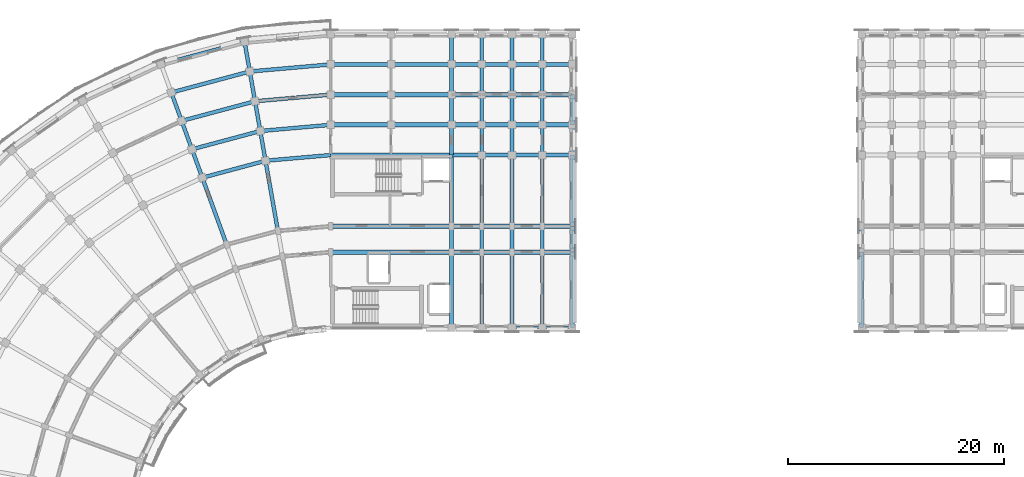
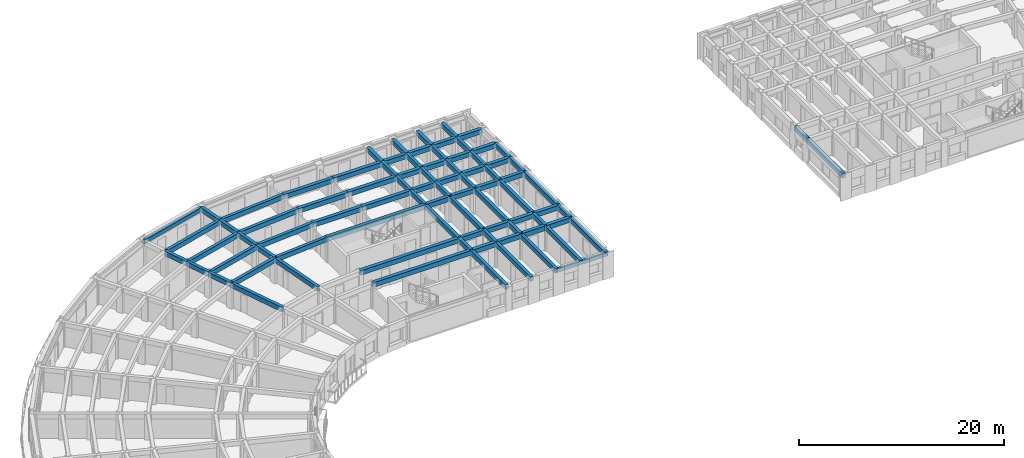
# One storey, part 10 of 57: 88 beams.
"""IFC4 building model written with IfcOpenShell, lengths in metres."""

from ifc_helpers import new_model, si_unit, direction, frame, origin, origin_2d, place, context, subcontext, project, spatial, rectangle, extrude, material, material_profile, profile_set, type_object, element, save


model = new_model("IFC4")

# Units and contexts
model_context = context("Model", 3, precision=1e-05, world=origin(), true_north=direction((0.0, 1.0)))
body_context = subcontext(model_context, "Body", "Model", "MODEL_VIEW")
ifc_project = project(units=[si_unit("LENGTHUNIT", "METRE"), si_unit("AREAUNIT", "SQUARE_METRE"), si_unit("VOLUMEUNIT", "CUBIC_METRE"), si_unit("PLANEANGLEUNIT", "RADIAN"), si_unit("MASSUNIT", "GRAM", prefix="KILO")], contexts=[model_context])

# Site, building, storey
site_placement = place(None, origin())
site = spatial("IfcSite", under=ifc_project, at=site_placement, CompositionType="ELEMENT")
building_placement = place(site_placement, origin())
building = spatial("IfcBuilding", under=site, at=building_placement, Name="Kiranvali Square Residences", CompositionType="ELEMENT")
storey_placement = place(building_placement, frame((0.0, 0.0, 21.300048828125)))
storey = spatial("IfcBuildingStorey", under=building, at=storey_placement, Name="L06", CompositionType="ELEMENT", Elevation=21.300048828125)

# Beams
ifc_material_1 = material(Name="Concrete M40 (40 MPa)", Category="concrete")
ifc_material_profile_1 = material_profile(ifc_material_1, rectangle(XDim=0.35009765625, YDim=0.550048828125, at=origin_2d()), Name="RC 350x550")
ifc_profile_set_1 = profile_set([ifc_material_profile_1], Name="Concrete M40 (40 MPa)")
beam_type_1 = type_object("IfcBeamType", Name="BM-M40-350x550", PredefinedType="BEAM", material=ifc_profile_set_1)
beam_1_placement = place(storey_placement, frame((48.199951171875, 122.60009765625, 2.655029296875), z_axis=(-0.996193018494, -0.087174938512, 0.0), x_axis=(0.087174938512, -0.996193018494, 0.0)))
element("IfcBeam", 1, at=beam_1_placement, inside=storey, type_object=beam_type_1, Name="L06 beam BM-A-L06-C00-R3", PredefinedType="BEAM", context=body_context, shape_type="SweptSolid", body=[
    extrude(rectangle(XDim=0.35009765625, YDim=0.550048828125, at=origin_2d()), origin(), (0.0, 0.0, 1.0), 6.066162109375),
])
beam_2_placement = place(storey_placement, frame((48.199951171875, 125.39990234375, 2.655029296875), z_axis=(-0.996196991902, -0.0871295204, 0.0), x_axis=(0.0871295204, -0.996196991902, 0.0)))
element("IfcBeam", 2, at=beam_2_placement, inside=storey, type_object=beam_type_1, Name="L06 beam BM-A-L06-C00-R4", PredefinedType="BEAM", context=body_context, shape_type="SweptSolid", body=[
    extrude(rectangle(XDim=0.35009765625, YDim=0.550048828125, at=origin_2d()), origin(), (0.0, 0.0, 1.0), 6.553955078125),
])
beam_3_placement = place(storey_placement, frame((48.199951171875, 128.199951171875, 2.655029296875), z_axis=(-0.996194658198, -0.087156198737, 0.0), x_axis=(0.087156198737, -0.996194658198, 0.0)))
element("IfcBeam", 3, at=beam_3_placement, inside=storey, type_object=beam_type_1, Name="L06 beam BM-A-L06-C00-R5", PredefinedType="BEAM", context=body_context, shape_type="SweptSolid", body=[
    extrude(rectangle(XDim=0.35009765625, YDim=0.550048828125, at=origin_2d()), origin(), (0.0, 0.0, 1.0), 7.042236328125),
])
beam_4_placement = place(storey_placement, frame((48.199951171875, 131.0, 2.655029296875), z_axis=(-0.996195195417, -0.087150058103, 0.0), x_axis=(0.087150058103, -0.996195195417, 0.0)))
element("IfcBeam", 4, at=beam_4_placement, inside=storey, type_object=beam_type_1, Name="L06 beam BM-A-L06-C00-R6", PredefinedType="BEAM", context=body_context, shape_type="SweptSolid", body=[
    extrude(rectangle(XDim=0.35009765625, YDim=0.550048828125, at=origin_2d()), origin(), (0.0, 0.0, 1.0), 7.530029296875),
])
beam_5_placement = place(storey_placement, frame((42.156982421875, 122.0712890625, 2.655029296875), z_axis=(-0.965923618901, -0.258827283048, 0.0), x_axis=(0.258827283048, -0.965923618901, 0.0)))
element("IfcBeam", 5, at=beam_5_placement, inside=storey, type_object=beam_type_1, Name="L06 beam BM-A-L06-C01-R3", PredefinedType="BEAM", context=body_context, shape_type="SweptSolid", body=[
    extrude(rectangle(XDim=0.35009765625, YDim=0.550048828125, at=origin_2d()), origin(), (0.0, 0.0, 1.0), 6.066162109375),
])
beam_6_placement = place(storey_placement, frame((41.6708984375, 124.828857421875, 2.655029296875), z_axis=(-0.965918287583, -0.258847178297, 0.0), x_axis=(0.258847178297, -0.965918287583, 0.0)))
element("IfcBeam", 6, at=beam_6_placement, inside=storey, type_object=beam_type_1, Name="L06 beam BM-A-L06-C01-R4", PredefinedType="BEAM", context=body_context, shape_type="SweptSolid", body=[
    extrude(rectangle(XDim=0.35009765625, YDim=0.550048828125, at=origin_2d()), origin(), (0.0, 0.0, 1.0), 6.55419921875),
])
beam_7_placement = place(storey_placement, frame((41.1845703125, 127.586181640625, 2.655029296875), z_axis=(-0.965931029817, -0.258799624492, 0.0), x_axis=(0.258799624492, -0.965931029817, 0.0)))
element("IfcBeam", 7, at=beam_7_placement, inside=storey, type_object=beam_type_1, Name="L06 beam BM-A-L06-C01-R5", PredefinedType="BEAM", context=body_context, shape_type="SweptSolid", body=[
    extrude(rectangle(XDim=0.35009765625, YDim=0.550048828125, at=origin_2d()), origin(), (0.0, 0.0, 1.0), 7.042236328125),
])
beam_8_placement = place(storey_placement, frame((40.698486328125, 130.34375, 2.655029296875), z_axis=(-0.965925909693, -0.258818733833, 0.0), x_axis=(0.258818733833, -0.965925909693, 0.0)))
element("IfcBeam", 8, at=beam_8_placement, inside=storey, type_object=beam_type_1, Name="L06 beam BM-A-L06-C01-R6", PredefinedType="BEAM", context=body_context, shape_type="SweptSolid", body=[
    extrude(rectangle(XDim=0.35009765625, YDim=0.550048828125, at=origin_2d()), origin(), (0.0, 0.0, 1.0), 7.5302734375),
])
beam_9_placement = place(storey_placement, frame((43.30322265625, 115.571533203125, 2.655029296875), z_axis=(-0.173671381499, 0.984803661269, 0.0), x_axis=(-0.984803661269, -0.173671381499, 0.0)))
element("IfcBeam", 9, at=beam_9_placement, inside=storey, type_object=beam_type_1, Name="L06 beam BM-A-L06-RAD01-23", PredefinedType="BEAM", context=body_context, shape_type="SweptSolid", body=[
    extrude(rectangle(XDim=0.35009765625, YDim=0.550048828125, at=origin_2d()), origin(), (0.0, 0.0, 1.0), 6.60009765625),
])
beam_10_placement = place(storey_placement, frame((42.156982421875, 122.0712890625, 2.655029296875), z_axis=(-0.173596320392, 0.984816895441, 0.0), x_axis=(-0.984816895441, -0.173596320392, 0.0)))
element("IfcBeam", 10, at=beam_10_placement, inside=storey, type_object=beam_type_1, Name="L06 beam BM-A-L06-RAD01-34", PredefinedType="BEAM", context=body_context, shape_type="SweptSolid", body=[
    extrude(rectangle(XDim=0.35009765625, YDim=0.550048828125, at=origin_2d()), origin(), (0.0, 0.0, 1.0), 2.800048828125),
])
beam_11_placement = place(storey_placement, frame((41.6708984375, 124.828857421875, 2.655029296875), z_axis=(-0.173695795656, 0.984799355489, 0.0), x_axis=(-0.984799355489, -0.173695795656, 0.0)))
element("IfcBeam", 11, at=beam_11_placement, inside=storey, type_object=beam_type_1, Name="L06 beam BM-A-L06-RAD01-45", PredefinedType="BEAM", context=body_context, shape_type="SweptSolid", body=[
    extrude(rectangle(XDim=0.35009765625, YDim=0.550048828125, at=origin_2d()), origin(), (0.0, 0.0, 1.0), 2.7998046875),
])
beam_12_placement = place(storey_placement, frame((41.1845703125, 127.586181640625, 2.655029296875), z_axis=(-0.173596320392, 0.984816895441, 0.0), x_axis=(-0.984816895441, -0.173596320392, 0.0)))
element("IfcBeam", 12, at=beam_12_placement, inside=storey, type_object=beam_type_1, Name="L06 beam BM-A-L06-RAD01-56", PredefinedType="BEAM", context=body_context, shape_type="SweptSolid", body=[
    extrude(rectangle(XDim=0.35009765625, YDim=0.550048828125, at=origin_2d()), origin(), (0.0, 0.0, 1.0), 2.800048828125),
])
beam_13_placement = place(storey_placement, frame((40.698486328125, 130.34375, 2.655029296875), z_axis=(-0.173695795656, 0.984799355489, 0.0), x_axis=(-0.984799355489, -0.173695795656, 0.0)))
element("IfcBeam", 13, at=beam_13_placement, inside=storey, type_object=beam_type_1, Name="L06 beam BM-A-L06-RAD01-67", PredefinedType="BEAM", context=body_context, shape_type="SweptSolid", body=[
    extrude(rectangle(XDim=0.35009765625, YDim=0.550048828125, at=origin_2d()), origin(), (0.0, 0.0, 1.0), 2.7998046875),
])
beam_14_placement = place(storey_placement, frame((38.554931640625, 114.29931640625, 2.655029296875), z_axis=(-0.342022238372, 0.939691858249, 0.0), x_axis=(-0.939691858249, -0.342022238372, 0.0)))
element("IfcBeam", 14, at=beam_14_placement, inside=storey, type_object=beam_type_1, Name="L06 beam BM-A-L06-RAD02-23", PredefinedType="BEAM", context=body_context, shape_type="SweptSolid", body=[
    extrude(rectangle(XDim=0.35009765625, YDim=0.550048828125, at=origin_2d()), origin(), (0.0, 0.0, 1.0), 6.599853515625),
])
beam_15_placement = place(storey_placement, frame((36.297607421875, 120.501220703125, 2.655029296875), z_axis=(-0.341981089711, 0.93970683422, 0.0), x_axis=(-0.93970683422, -0.341981089711, 0.0)))
element("IfcBeam", 15, at=beam_15_placement, inside=storey, type_object=beam_type_1, Name="L06 beam BM-A-L06-RAD02-34", PredefinedType="BEAM", context=body_context, shape_type="SweptSolid", body=[
    extrude(rectangle(XDim=0.35009765625, YDim=0.550048828125, at=origin_2d()), origin(), (0.0, 0.0, 1.0), 2.7998046875),
])
beam_16_placement = place(storey_placement, frame((35.340087890625, 123.13232421875, 2.655029296875), z_axis=(-0.342030060398, 0.939689011208, 0.0), x_axis=(-0.939689011208, -0.342030060398, 0.0)))
element("IfcBeam", 16, at=beam_16_placement, inside=storey, type_object=beam_type_1, Name="L06 beam BM-A-L06-RAD02-45", PredefinedType="BEAM", context=body_context, shape_type="SweptSolid", body=[
    extrude(rectangle(XDim=0.35009765625, YDim=0.550048828125, at=origin_2d()), origin(), (0.0, 0.0, 1.0), 2.80029296875),
])
beam_17_placement = place(storey_placement, frame((34.38232421875, 125.763671875, 2.655029296875), z_axis=(-0.341981089711, 0.93970683422, 0.0), x_axis=(-0.93970683422, -0.341981089711, 0.0)))
element("IfcBeam", 17, at=beam_17_placement, inside=storey, type_object=beam_type_1, Name="L06 beam BM-A-L06-RAD02-56", PredefinedType="BEAM", context=body_context, shape_type="SweptSolid", body=[
    extrude(rectangle(XDim=0.35009765625, YDim=0.550048828125, at=origin_2d()), origin(), (0.0, 0.0, 1.0), 2.7998046875),
])
beam_18_placement = place(storey_placement, frame((59.39990234375, 106.60009765625, 2.655029296875), z_axis=(0.0, 1.0, 0.0), x_axis=(-1.0, 0.0, 0.0)))
element("IfcBeam", 18, at=beam_18_placement, inside=storey, type_object=beam_type_1, Name="L06 beam BM-A-L06-A1T1-01", PredefinedType="BEAM", context=body_context, shape_type="SweptSolid", body=[
    extrude(rectangle(XDim=0.35009765625, YDim=0.550048828125, at=origin_2d()), origin(), (0.0, 0.0, 1.0), 7.0),
])
beam_19_placement = place(storey_placement, frame((59.39990234375, 113.60009765625, 2.655029296875), z_axis=(0.0, 1.0, 0.0), x_axis=(-1.0, 0.0, 0.0)))
element("IfcBeam", 19, at=beam_19_placement, inside=storey, type_object=beam_type_1, Name="L06 beam BM-A-L06-A1T1-12", PredefinedType="BEAM", context=body_context, shape_type="SweptSolid", body=[
    extrude(rectangle(XDim=0.35009765625, YDim=0.550048828125, at=origin_2d()), origin(), (0.0, 0.0, 1.0), 2.39990234375),
])
beam_20_placement = place(storey_placement, frame((59.39990234375, 116.0, 2.655029296875), z_axis=(0.0, 1.0, 0.0), x_axis=(-1.0, 0.0, 0.0)))
element("IfcBeam", 20, at=beam_20_placement, inside=storey, type_object=beam_type_1, Name="L06 beam BM-A-L06-A1T1-23", PredefinedType="BEAM", context=body_context, shape_type="SweptSolid", body=[
    extrude(rectangle(XDim=0.35009765625, YDim=0.550048828125, at=origin_2d()), origin(), (0.0, 0.0, 1.0), 6.60009765625),
])
beam_21_placement = place(storey_placement, frame((59.39990234375, 122.60009765625, 2.655029296875), z_axis=(0.0, 1.0, 0.0), x_axis=(-1.0, 0.0, 0.0)))
element("IfcBeam", 21, at=beam_21_placement, inside=storey, type_object=beam_type_1, Name="L06 beam BM-A-L06-A1T1-34", PredefinedType="BEAM", context=body_context, shape_type="SweptSolid", body=[
    extrude(rectangle(XDim=0.35009765625, YDim=0.550048828125, at=origin_2d()), origin(), (0.0, 0.0, 1.0), 2.7998046875),
])
for number, where, z_axis, x_axis, name in (
    (22, (59.39990234375, 125.39990234375, 2.655029296875), (0.0, 1.0, 0.0), (-1.0, 0.0, 0.0), "L06 beam BM-A-L06-A1T1-45"),
    (23, (59.39990234375, 128.199951171875, 2.655029296875), (0.0, 1.0, 0.0), (-1.0, 0.0, 0.0), "L06 beam BM-A-L06-A1T1-56"),
    (24, (59.39990234375, 131.0, 2.655029296875), (0.0, 1.0, 0.0), (-1.0, 0.0, 0.0), "L06 beam BM-A-L06-A1T1-67"),
):
    element("IfcBeam", number, at=place(storey_placement, frame(where, z_axis=z_axis, x_axis=x_axis)), inside=storey, type_object=beam_type_1, Name=name, PredefinedType="BEAM", context=body_context, shape_type="SweptSolid", body=[
        extrude(rectangle(XDim=0.35009765625, YDim=0.550048828125, at=origin_2d()), origin(), (0.0, 0.0, 1.0), 2.800048828125),
    ])
beam_22_placement = place(storey_placement, frame((62.199951171875, 106.60009765625, 2.655029296875), z_axis=(0.0, 1.0, 0.0), x_axis=(-1.0, 0.0, 0.0)))
element("IfcBeam", 25, at=beam_22_placement, inside=storey, type_object=beam_type_1, Name="L06 beam BM-A-L06-A1T2-01", PredefinedType="BEAM", context=body_context, shape_type="SweptSolid", body=[
    extrude(rectangle(XDim=0.35009765625, YDim=0.550048828125, at=origin_2d()), origin(), (0.0, 0.0, 1.0), 7.0),
])
beam_23_placement = place(storey_placement, frame((62.199951171875, 113.60009765625, 2.655029296875), z_axis=(0.0, 1.0, 0.0), x_axis=(-1.0, 0.0, 0.0)))
element("IfcBeam", 26, at=beam_23_placement, inside=storey, type_object=beam_type_1, Name="L06 beam BM-A-L06-A1T2-12", PredefinedType="BEAM", context=body_context, shape_type="SweptSolid", body=[
    extrude(rectangle(XDim=0.35009765625, YDim=0.550048828125, at=origin_2d()), origin(), (0.0, 0.0, 1.0), 2.39990234375),
])
beam_24_placement = place(storey_placement, frame((62.199951171875, 116.0, 2.655029296875), z_axis=(0.0, 1.0, 0.0), x_axis=(-1.0, 0.0, 0.0)))
element("IfcBeam", 27, at=beam_24_placement, inside=storey, type_object=beam_type_1, Name="L06 beam BM-A-L06-A1T2-23", PredefinedType="BEAM", context=body_context, shape_type="SweptSolid", body=[
    extrude(rectangle(XDim=0.35009765625, YDim=0.550048828125, at=origin_2d()), origin(), (0.0, 0.0, 1.0), 6.60009765625),
])
beam_25_placement = place(storey_placement, frame((62.199951171875, 122.60009765625, 2.655029296875), z_axis=(0.0, 1.0, 0.0), x_axis=(-1.0, 0.0, 0.0)))
element("IfcBeam", 28, at=beam_25_placement, inside=storey, type_object=beam_type_1, Name="L06 beam BM-A-L06-A1T2-34", PredefinedType="BEAM", context=body_context, shape_type="SweptSolid", body=[
    extrude(rectangle(XDim=0.35009765625, YDim=0.550048828125, at=origin_2d()), origin(), (0.0, 0.0, 1.0), 2.7998046875),
])
for number, where, z_axis, x_axis, name in (
    (29, (62.199951171875, 125.39990234375, 2.655029296875), (0.0, 1.0, 0.0), (-1.0, 0.0, 0.0), "L06 beam BM-A-L06-A1T2-45"),
    (30, (62.199951171875, 128.199951171875, 2.655029296875), (0.0, 1.0, 0.0), (-1.0, 0.0, 0.0), "L06 beam BM-A-L06-A1T2-56"),
    (31, (62.199951171875, 131.0, 2.655029296875), (0.0, 1.0, 0.0), (-1.0, 0.0, 0.0), "L06 beam BM-A-L06-A1T2-67"),
):
    element("IfcBeam", number, at=place(storey_placement, frame(where, z_axis=z_axis, x_axis=x_axis)), inside=storey, type_object=beam_type_1, Name=name, PredefinedType="BEAM", context=body_context, shape_type="SweptSolid", body=[
        extrude(rectangle(XDim=0.35009765625, YDim=0.550048828125, at=origin_2d()), origin(), (0.0, 0.0, 1.0), 2.800048828125),
    ])
beam_26_placement = place(storey_placement, frame((65.0, 106.60009765625, 2.655029296875), z_axis=(0.0, 1.0, 0.0), x_axis=(-1.0, 0.0, 0.0)))
element("IfcBeam", 32, at=beam_26_placement, inside=storey, type_object=beam_type_1, Name="L06 beam BM-A-L06-A1T3-01", PredefinedType="BEAM", context=body_context, shape_type="SweptSolid", body=[
    extrude(rectangle(XDim=0.35009765625, YDim=0.550048828125, at=origin_2d()), origin(), (0.0, 0.0, 1.0), 7.0),
])
beam_27_placement = place(storey_placement, frame((65.0, 113.60009765625, 2.655029296875), z_axis=(0.0, 1.0, 0.0), x_axis=(-1.0, 0.0, 0.0)))
element("IfcBeam", 33, at=beam_27_placement, inside=storey, type_object=beam_type_1, Name="L06 beam BM-A-L06-A1T3-12", PredefinedType="BEAM", context=body_context, shape_type="SweptSolid", body=[
    extrude(rectangle(XDim=0.35009765625, YDim=0.550048828125, at=origin_2d()), origin(), (0.0, 0.0, 1.0), 2.39990234375),
])
beam_28_placement = place(storey_placement, frame((65.0, 116.0, 2.655029296875), z_axis=(0.0, 1.0, 0.0), x_axis=(-1.0, 0.0, 0.0)))
element("IfcBeam", 34, at=beam_28_placement, inside=storey, type_object=beam_type_1, Name="L06 beam BM-A-L06-A1T3-23", PredefinedType="BEAM", context=body_context, shape_type="SweptSolid", body=[
    extrude(rectangle(XDim=0.35009765625, YDim=0.550048828125, at=origin_2d()), origin(), (0.0, 0.0, 1.0), 6.60009765625),
])
beam_29_placement = place(storey_placement, frame((65.0, 122.60009765625, 2.655029296875), z_axis=(0.0, 1.0, 0.0), x_axis=(-1.0, 0.0, 0.0)))
element("IfcBeam", 35, at=beam_29_placement, inside=storey, type_object=beam_type_1, Name="L06 beam BM-A-L06-A1T3-34", PredefinedType="BEAM", context=body_context, shape_type="SweptSolid", body=[
    extrude(rectangle(XDim=0.35009765625, YDim=0.550048828125, at=origin_2d()), origin(), (0.0, 0.0, 1.0), 2.7998046875),
])
for number, where, z_axis, x_axis, name in (
    (36, (65.0, 125.39990234375, 2.655029296875), (0.0, 1.0, 0.0), (-1.0, 0.0, 0.0), "L06 beam BM-A-L06-A1T3-45"),
    (37, (65.0, 128.199951171875, 2.655029296875), (0.0, 1.0, 0.0), (-1.0, 0.0, 0.0), "L06 beam BM-A-L06-A1T3-56"),
    (38, (65.0, 131.0, 2.655029296875), (0.0, 1.0, 0.0), (-1.0, 0.0, 0.0), "L06 beam BM-A-L06-A1T3-67"),
):
    element("IfcBeam", number, at=place(storey_placement, frame(where, z_axis=z_axis, x_axis=x_axis)), inside=storey, type_object=beam_type_1, Name=name, PredefinedType="BEAM", context=body_context, shape_type="SweptSolid", body=[
        extrude(rectangle(XDim=0.35009765625, YDim=0.550048828125, at=origin_2d()), origin(), (0.0, 0.0, 1.0), 2.800048828125),
    ])
beam_30_placement = place(storey_placement, frame((67.800048828125, 106.60009765625, 2.655029296875), z_axis=(0.0, 1.0, 0.0), x_axis=(-1.0, 0.0, 0.0)))
element("IfcBeam", 39, at=beam_30_placement, inside=storey, type_object=beam_type_1, Name="L06 beam BM-A-L06-A1T4-01", PredefinedType="BEAM", context=body_context, shape_type="SweptSolid", body=[
    extrude(rectangle(XDim=0.35009765625, YDim=0.550048828125, at=origin_2d()), origin(), (0.0, 0.0, 1.0), 7.0),
])
beam_31_placement = place(storey_placement, frame((67.800048828125, 113.60009765625, 2.655029296875), z_axis=(0.0, 1.0, 0.0), x_axis=(-1.0, 0.0, 0.0)))
element("IfcBeam", 40, at=beam_31_placement, inside=storey, type_object=beam_type_1, Name="L06 beam BM-A-L06-A1T4-12", PredefinedType="BEAM", context=body_context, shape_type="SweptSolid", body=[
    extrude(rectangle(XDim=0.35009765625, YDim=0.550048828125, at=origin_2d()), origin(), (0.0, 0.0, 1.0), 2.39990234375),
])
beam_32_placement = place(storey_placement, frame((67.800048828125, 116.0, 2.655029296875), z_axis=(0.0, 1.0, 0.0), x_axis=(-1.0, 0.0, 0.0)))
element("IfcBeam", 41, at=beam_32_placement, inside=storey, type_object=beam_type_1, Name="L06 beam BM-A-L06-A1T4-23", PredefinedType="BEAM", context=body_context, shape_type="SweptSolid", body=[
    extrude(rectangle(XDim=0.35009765625, YDim=0.550048828125, at=origin_2d()), origin(), (0.0, 0.0, 1.0), 6.60009765625),
])
beam_33_placement = place(storey_placement, frame((67.800048828125, 122.60009765625, 2.655029296875), z_axis=(0.0, 1.0, 0.0), x_axis=(-1.0, 0.0, 0.0)))
element("IfcBeam", 42, at=beam_33_placement, inside=storey, type_object=beam_type_1, Name="L06 beam BM-A-L06-A1T4-34", PredefinedType="BEAM", context=body_context, shape_type="SweptSolid", body=[
    extrude(rectangle(XDim=0.35009765625, YDim=0.550048828125, at=origin_2d()), origin(), (0.0, 0.0, 1.0), 2.7998046875),
])
for number, where, z_axis, x_axis, name in (
    (43, (67.800048828125, 125.39990234375, 2.655029296875), (0.0, 1.0, 0.0), (-1.0, 0.0, 0.0), "L06 beam BM-A-L06-A1T4-45"),
    (44, (67.800048828125, 128.199951171875, 2.655029296875), (0.0, 1.0, 0.0), (-1.0, 0.0, 0.0), "L06 beam BM-A-L06-A1T4-56"),
    (45, (67.800048828125, 131.0, 2.655029296875), (0.0, 1.0, 0.0), (-1.0, 0.0, 0.0), "L06 beam BM-A-L06-A1T4-67"),
):
    element("IfcBeam", number, at=place(storey_placement, frame(where, z_axis=z_axis, x_axis=x_axis)), inside=storey, type_object=beam_type_1, Name=name, PredefinedType="BEAM", context=body_context, shape_type="SweptSolid", body=[
        extrude(rectangle(XDim=0.35009765625, YDim=0.550048828125, at=origin_2d()), origin(), (0.0, 0.0, 1.0), 2.800048828125),
    ])
beam_34_placement = place(storey_placement, frame((70.60009765625, 106.60009765625, 2.655029296875), z_axis=(0.0, 1.0, 0.0), x_axis=(-1.0, 0.0, 0.0)))
element("IfcBeam", 46, at=beam_34_placement, inside=storey, type_object=beam_type_1, Name="L06 beam BM-A-L06-A1T5-01", PredefinedType="BEAM", context=body_context, shape_type="SweptSolid", body=[
    extrude(rectangle(XDim=0.35009765625, YDim=0.550048828125, at=origin_2d()), origin(), (0.0, 0.0, 1.0), 7.0),
])
beam_35_placement = place(storey_placement, frame((70.60009765625, 113.60009765625, 2.655029296875), z_axis=(0.0, 1.0, 0.0), x_axis=(-1.0, 0.0, 0.0)))
element("IfcBeam", 47, at=beam_35_placement, inside=storey, type_object=beam_type_1, Name="L06 beam BM-A-L06-A1T5-12", PredefinedType="BEAM", context=body_context, shape_type="SweptSolid", body=[
    extrude(rectangle(XDim=0.35009765625, YDim=0.550048828125, at=origin_2d()), origin(), (0.0, 0.0, 1.0), 2.39990234375),
])
beam_36_placement = place(storey_placement, frame((70.60009765625, 116.0, 2.655029296875), z_axis=(0.0, 1.0, 0.0), x_axis=(-1.0, 0.0, 0.0)))
element("IfcBeam", 48, at=beam_36_placement, inside=storey, type_object=beam_type_1, Name="L06 beam BM-A-L06-A1T5-23", PredefinedType="BEAM", context=body_context, shape_type="SweptSolid", body=[
    extrude(rectangle(XDim=0.35009765625, YDim=0.550048828125, at=origin_2d()), origin(), (0.0, 0.0, 1.0), 6.60009765625),
])
beam_37_placement = place(storey_placement, frame((70.60009765625, 122.60009765625, 2.655029296875), z_axis=(0.0, 1.0, 0.0), x_axis=(-1.0, 0.0, 0.0)))
element("IfcBeam", 49, at=beam_37_placement, inside=storey, type_object=beam_type_1, Name="L06 beam BM-A-L06-A1T5-34", PredefinedType="BEAM", context=body_context, shape_type="SweptSolid", body=[
    extrude(rectangle(XDim=0.35009765625, YDim=0.550048828125, at=origin_2d()), origin(), (0.0, 0.0, 1.0), 2.7998046875),
])
beam_38_placement = place(storey_placement, frame((70.60009765625, 125.39990234375, 2.655029296875), z_axis=(0.0, 1.0, 0.0), x_axis=(-1.0, 0.0, 0.0)))
element("IfcBeam", 50, at=beam_38_placement, inside=storey, type_object=beam_type_1, Name="L06 beam BM-A-L06-A1T5-45", PredefinedType="BEAM", context=body_context, shape_type="SweptSolid", body=[
    extrude(rectangle(XDim=0.35009765625, YDim=0.550048828125, at=origin_2d()), origin(), (0.0, 0.0, 1.0), 2.800048828125),
])
beam_39_placement = place(storey_placement, frame((97.39990234375, 106.60009765625, 2.655029296875), z_axis=(0.0, 1.0, 0.0), x_axis=(-1.0, 0.0, 0.0)))
element("IfcBeam", 51, at=beam_39_placement, inside=storey, type_object=beam_type_1, Name="L06 beam BM-B-L06-A1T5-01", PredefinedType="BEAM", context=body_context, shape_type="SweptSolid", body=[
    extrude(rectangle(XDim=0.35009765625, YDim=0.550048828125, at=origin_2d()), origin(), (0.0, 0.0, 1.0), 7.0),
])
beam_40_placement = place(storey_placement, frame((97.39990234375, 113.60009765625, 2.655029296875), z_axis=(0.0, 1.0, 0.0), x_axis=(-1.0, 0.0, 0.0)))
element("IfcBeam", 52, at=beam_40_placement, inside=storey, type_object=beam_type_1, Name="L06 beam BM-B-L06-A1T5-12", PredefinedType="BEAM", context=body_context, shape_type="SweptSolid", body=[
    extrude(rectangle(XDim=0.35009765625, YDim=0.550048828125, at=origin_2d()), origin(), (0.0, 0.0, 1.0), 2.39990234375),
])
ifc_material_2 = material(Name="Concrete M45 (45 MPa)", Category="concrete")
ifc_material_profile_2 = material_profile(ifc_material_2, rectangle(XDim=0.39990234375, YDim=0.550048828125, at=origin_2d()), Name="RC 400x550")
ifc_profile_set_2 = profile_set([ifc_material_profile_2], Name="Concrete M45 (45 MPa)")
beam_type_2 = type_object("IfcBeamType", Name="BM-M45-400x550", PredefinedType="BEAM", material=ifc_profile_set_2)
beam_41_placement = place(storey_placement, frame((48.199951171875, 113.60009765625, 2.655029296875), z_axis=(1.0, 0.0, 0.0), x_axis=(0.0, 1.0, 0.0)))
element("IfcBeam", 53, at=beam_41_placement, inside=storey, type_object=beam_type_2, Name="L06 beam BM-A-L06-A1U0-R1", PredefinedType="BEAM", context=body_context, shape_type="SweptSolid", body=[
    extrude(rectangle(XDim=0.39990234375, YDim=0.550048828125, at=origin_2d()), origin(), (0.0, 0.0, 1.0), 11.199951171875),
])
for number, where, z_axis, x_axis, name in (
    (54, (59.39990234375, 113.60009765625, 2.655029296875), (1.0, 0.0, 0.0), (0.0, 1.0, 0.0), "L06 beam BM-A-L06-A1U1-R1"),
    (55, (62.199951171875, 113.60009765625, 2.655029296875), (1.0, 0.0, 0.0), (0.0, 1.0, 0.0), "L06 beam BM-A-L06-A1U2-R1"),
    (56, (65.0, 113.60009765625, 2.655029296875), (1.0, 0.0, 0.0), (0.0, 1.0, 0.0), "L06 beam BM-A-L06-A1U3-R1"),
    (57, (67.800048828125, 113.60009765625, 2.655029296875), (1.0, 0.0, 0.0), (0.0, 1.0, 0.0), "L06 beam BM-A-L06-A1U4-R1"),
):
    element("IfcBeam", number, at=place(storey_placement, frame(where, z_axis=z_axis, x_axis=x_axis)), inside=storey, type_object=beam_type_2, Name=name, PredefinedType="BEAM", context=body_context, shape_type="SweptSolid", body=[
        extrude(rectangle(XDim=0.39990234375, YDim=0.550048828125, at=origin_2d()), origin(), (0.0, 0.0, 1.0), 2.800048828125),
    ])
beam_42_placement = place(storey_placement, frame((48.199951171875, 116.0, 2.655029296875), z_axis=(1.0, 0.0, 0.0), x_axis=(0.0, 1.0, 0.0)))
element("IfcBeam", 58, at=beam_42_placement, inside=storey, type_object=beam_type_2, Name="L06 beam BM-A-L06-A1U0-R2", PredefinedType="BEAM", context=body_context, shape_type="SweptSolid", body=[
    extrude(rectangle(XDim=0.39990234375, YDim=0.550048828125, at=origin_2d()), origin(), (0.0, 0.0, 1.0), 11.199951171875),
])
for number, where, z_axis, x_axis, name in (
    (59, (59.39990234375, 116.0, 2.655029296875), (1.0, 0.0, 0.0), (0.0, 1.0, 0.0), "L06 beam BM-A-L06-A1U1-R2"),
    (60, (62.199951171875, 116.0, 2.655029296875), (1.0, 0.0, 0.0), (0.0, 1.0, 0.0), "L06 beam BM-A-L06-A1U2-R2"),
    (61, (65.0, 116.0, 2.655029296875), (1.0, 0.0, 0.0), (0.0, 1.0, 0.0), "L06 beam BM-A-L06-A1U3-R2"),
    (62, (67.800048828125, 116.0, 2.655029296875), (1.0, 0.0, 0.0), (0.0, 1.0, 0.0), "L06 beam BM-A-L06-A1U4-R2"),
):
    element("IfcBeam", number, at=place(storey_placement, frame(where, z_axis=z_axis, x_axis=x_axis)), inside=storey, type_object=beam_type_2, Name=name, PredefinedType="BEAM", context=body_context, shape_type="SweptSolid", body=[
        extrude(rectangle(XDim=0.39990234375, YDim=0.550048828125, at=origin_2d()), origin(), (0.0, 0.0, 1.0), 2.800048828125),
    ])
beam_43_placement = place(storey_placement, frame((48.199951171875, 122.60009765625, 2.655029296875), z_axis=(1.0, 0.0, 0.0), x_axis=(0.0, 1.0, 0.0)))
element("IfcBeam", 63, at=beam_43_placement, inside=storey, type_object=beam_type_2, Name="L06 beam BM-A-L06-A1U0-R3", PredefinedType="BEAM", context=body_context, shape_type="SweptSolid", body=[
    extrude(rectangle(XDim=0.39990234375, YDim=0.550048828125, at=origin_2d()), origin(), (0.0, 0.0, 1.0), 11.199951171875),
])
for number, where, z_axis, x_axis, name in (
    (64, (59.39990234375, 122.60009765625, 2.655029296875), (1.0, 0.0, 0.0), (0.0, 1.0, 0.0), "L06 beam BM-A-L06-A1U1-R3"),
    (65, (62.199951171875, 122.60009765625, 2.655029296875), (1.0, 0.0, 0.0), (0.0, 1.0, 0.0), "L06 beam BM-A-L06-A1U2-R3"),
    (66, (65.0, 122.60009765625, 2.655029296875), (1.0, 0.0, 0.0), (0.0, 1.0, 0.0), "L06 beam BM-A-L06-A1U3-R3"),
    (67, (67.800048828125, 122.60009765625, 2.655029296875), (1.0, 0.0, 0.0), (0.0, 1.0, 0.0), "L06 beam BM-A-L06-A1U4-R3"),
):
    element("IfcBeam", number, at=place(storey_placement, frame(where, z_axis=z_axis, x_axis=x_axis)), inside=storey, type_object=beam_type_2, Name=name, PredefinedType="BEAM", context=body_context, shape_type="SweptSolid", body=[
        extrude(rectangle(XDim=0.39990234375, YDim=0.550048828125, at=origin_2d()), origin(), (0.0, 0.0, 1.0), 2.800048828125),
    ])
beam_44_placement = place(storey_placement, frame((48.199951171875, 125.39990234375, 2.655029296875), z_axis=(1.0, 0.0, 0.0), x_axis=(0.0, 1.0, 0.0)))
element("IfcBeam", 68, at=beam_44_placement, inside=storey, type_object=beam_type_2, Name="L06 beam BM-A-L06-A1U0-R4", PredefinedType="BEAM", context=body_context, shape_type="SweptSolid", body=[
    extrude(rectangle(XDim=0.39990234375, YDim=0.550048828125, at=origin_2d()), origin(), (0.0, 0.0, 1.0), 5.60009765625),
])
beam_45_placement = place(storey_placement, frame((53.800048828125, 125.39990234375, 2.655029296875), z_axis=(1.0, 0.0, 0.0), x_axis=(0.0, 1.0, 0.0)))
element("IfcBeam", 69, at=beam_45_placement, inside=storey, type_object=beam_type_2, Name="L06 beam BM-A-L06-A1U1-R4", PredefinedType="BEAM", context=body_context, shape_type="SweptSolid", body=[
    extrude(rectangle(XDim=0.39990234375, YDim=0.550048828125, at=origin_2d()), origin(), (0.0, 0.0, 1.0), 5.599853515625),
])
for number, where, z_axis, x_axis, name in (
    (70, (59.39990234375, 125.39990234375, 2.655029296875), (1.0, 0.0, 0.0), (0.0, 1.0, 0.0), "L06 beam BM-A-L06-A1U2-R4"),
    (71, (62.199951171875, 125.39990234375, 2.655029296875), (1.0, 0.0, 0.0), (0.0, 1.0, 0.0), "L06 beam BM-A-L06-A1U3-R4"),
    (72, (65.0, 125.39990234375, 2.655029296875), (1.0, 0.0, 0.0), (0.0, 1.0, 0.0), "L06 beam BM-A-L06-A1U4-R4"),
    (73, (67.800048828125, 125.39990234375, 2.655029296875), (1.0, 0.0, 0.0), (0.0, 1.0, 0.0), "L06 beam BM-A-L06-A1U5-R4"),
):
    element("IfcBeam", number, at=place(storey_placement, frame(where, z_axis=z_axis, x_axis=x_axis)), inside=storey, type_object=beam_type_2, Name=name, PredefinedType="BEAM", context=body_context, shape_type="SweptSolid", body=[
        extrude(rectangle(XDim=0.39990234375, YDim=0.550048828125, at=origin_2d()), origin(), (0.0, 0.0, 1.0), 2.800048828125),
    ])
beam_46_placement = place(storey_placement, frame((48.199951171875, 128.199951171875, 2.655029296875), z_axis=(1.0, 0.0, 0.0), x_axis=(0.0, 1.0, 0.0)))
element("IfcBeam", 74, at=beam_46_placement, inside=storey, type_object=beam_type_2, Name="L06 beam BM-A-L06-A1U0-R5", PredefinedType="BEAM", context=body_context, shape_type="SweptSolid", body=[
    extrude(rectangle(XDim=0.39990234375, YDim=0.550048828125, at=origin_2d()), origin(), (0.0, 0.0, 1.0), 5.60009765625),
])
beam_47_placement = place(storey_placement, frame((53.800048828125, 128.199951171875, 2.655029296875), z_axis=(1.0, 0.0, 0.0), x_axis=(0.0, 1.0, 0.0)))
element("IfcBeam", 75, at=beam_47_placement, inside=storey, type_object=beam_type_2, Name="L06 beam BM-A-L06-A1U1-R5", PredefinedType="BEAM", context=body_context, shape_type="SweptSolid", body=[
    extrude(rectangle(XDim=0.39990234375, YDim=0.550048828125, at=origin_2d()), origin(), (0.0, 0.0, 1.0), 5.599853515625),
])
for number, where, z_axis, x_axis, name in (
    (76, (59.39990234375, 128.199951171875, 2.655029296875), (1.0, 0.0, 0.0), (0.0, 1.0, 0.0), "L06 beam BM-A-L06-A1U2-R5"),
    (77, (62.199951171875, 128.199951171875, 2.655029296875), (1.0, 0.0, 0.0), (0.0, 1.0, 0.0), "L06 beam BM-A-L06-A1U3-R5"),
    (78, (65.0, 128.199951171875, 2.655029296875), (1.0, 0.0, 0.0), (0.0, 1.0, 0.0), "L06 beam BM-A-L06-A1U4-R5"),
    (79, (67.800048828125, 128.199951171875, 2.655029296875), (1.0, 0.0, 0.0), (0.0, 1.0, 0.0), "L06 beam BM-A-L06-A1U5-R5"),
):
    element("IfcBeam", number, at=place(storey_placement, frame(where, z_axis=z_axis, x_axis=x_axis)), inside=storey, type_object=beam_type_2, Name=name, PredefinedType="BEAM", context=body_context, shape_type="SweptSolid", body=[
        extrude(rectangle(XDim=0.39990234375, YDim=0.550048828125, at=origin_2d()), origin(), (0.0, 0.0, 1.0), 2.800048828125),
    ])
beam_48_placement = place(storey_placement, frame((48.199951171875, 131.0, 2.655029296875), z_axis=(1.0, 0.0, 0.0), x_axis=(0.0, 1.0, 0.0)))
element("IfcBeam", 80, at=beam_48_placement, inside=storey, type_object=beam_type_2, Name="L06 beam BM-A-L06-A1U0-R6", PredefinedType="BEAM", context=body_context, shape_type="SweptSolid", body=[
    extrude(rectangle(XDim=0.39990234375, YDim=0.550048828125, at=origin_2d()), origin(), (0.0, 0.0, 1.0), 5.60009765625),
])
beam_49_placement = place(storey_placement, frame((53.800048828125, 131.0, 2.655029296875), z_axis=(1.0, 0.0, 0.0), x_axis=(0.0, 1.0, 0.0)))
element("IfcBeam", 81, at=beam_49_placement, inside=storey, type_object=beam_type_2, Name="L06 beam BM-A-L06-A1U1-R6", PredefinedType="BEAM", context=body_context, shape_type="SweptSolid", body=[
    extrude(rectangle(XDim=0.39990234375, YDim=0.550048828125, at=origin_2d()), origin(), (0.0, 0.0, 1.0), 5.599853515625),
])
for number, where, z_axis, x_axis, name in (
    (82, (59.39990234375, 131.0, 2.655029296875), (1.0, 0.0, 0.0), (0.0, 1.0, 0.0), "L06 beam BM-A-L06-A1U2-R6"),
    (83, (62.199951171875, 131.0, 2.655029296875), (1.0, 0.0, 0.0), (0.0, 1.0, 0.0), "L06 beam BM-A-L06-A1U3-R6"),
    (84, (65.0, 131.0, 2.655029296875), (1.0, 0.0, 0.0), (0.0, 1.0, 0.0), "L06 beam BM-A-L06-A1U4-R6"),
    (85, (67.800048828125, 131.0, 2.655029296875), (1.0, 0.0, 0.0), (0.0, 1.0, 0.0), "L06 beam BM-A-L06-A1U5-R6"),
):
    element("IfcBeam", number, at=place(storey_placement, frame(where, z_axis=z_axis, x_axis=x_axis)), inside=storey, type_object=beam_type_2, Name=name, PredefinedType="BEAM", context=body_context, shape_type="SweptSolid", body=[
        extrude(rectangle(XDim=0.39990234375, YDim=0.550048828125, at=origin_2d()), origin(), (0.0, 0.0, 1.0), 2.800048828125),
    ])
ifc_material_profile_3 = material_profile(ifc_material_1, rectangle(XDim=0.25, YDim=0.449951171875, at=origin_2d()), Name="RC 250x450")
ifc_profile_set_3 = profile_set([ifc_material_profile_3], Name="Concrete M40 (40 MPa)")
beam_type_3 = type_object("IfcBeamType", Name="SPN-M40-250x450", PredefinedType="SPANDREL", material=ifc_profile_set_3)
for number, where, z_axis, x_axis, name in (
    (86, (65.0, 106.60009765625, 2.704833984375), (1.0, 0.0, 0.0), (0.0, 1.0, 0.0), "L06 beam BM-A-L06-A1U3-R0"),
    (87, (67.800048828125, 106.60009765625, 2.704833984375), (1.0, 0.0, 0.0), (0.0, 1.0, 0.0), "L06 beam BM-A-L06-A1U4-R0"),
):
    element("IfcBeam", number, at=place(storey_placement, frame(where, z_axis=z_axis, x_axis=x_axis)), inside=storey, type_object=beam_type_3, Name=name, PredefinedType="SPANDREL", context=body_context, shape_type="SweptSolid", body=[
        extrude(rectangle(XDim=0.25, YDim=0.449951171875, at=origin_2d()), origin(), (0.0, 0.0, 1.0), 2.800048828125),
    ])
ifc_material_profile_4 = material_profile(ifc_material_1, rectangle(XDim=0.300048828125, YDim=0.449951171875, at=origin_2d()), Name="RC 300x450")
ifc_profile_set_4 = profile_set([ifc_material_profile_4], Name="Concrete M40 (40 MPa)")
beam_type_4 = type_object("IfcBeamType", Name="SPN-M40-300x450", PredefinedType="SPANDREL", material=ifc_profile_set_4)
beam_50_placement = place(storey_placement, frame((40.212158203125, 133.10107421875, 2.704833984375), z_axis=(-0.96592902462, -0.258807108475, 0.0), x_axis=(0.258807108475, -0.96592902462, 0.0)))
element("IfcBeam", 88, at=beam_50_placement, inside=storey, type_object=beam_type_4, Name="L06 beam BM-A-L06-C01-R7", PredefinedType="SPANDREL", context=body_context, shape_type="SweptSolid", body=[
    extrude(rectangle(XDim=0.300048828125, YDim=0.449951171875, at=origin_2d()), origin(), (0.0, 0.0, 1.0), 8.018310546875),
])

save(model, "model.ifc")
